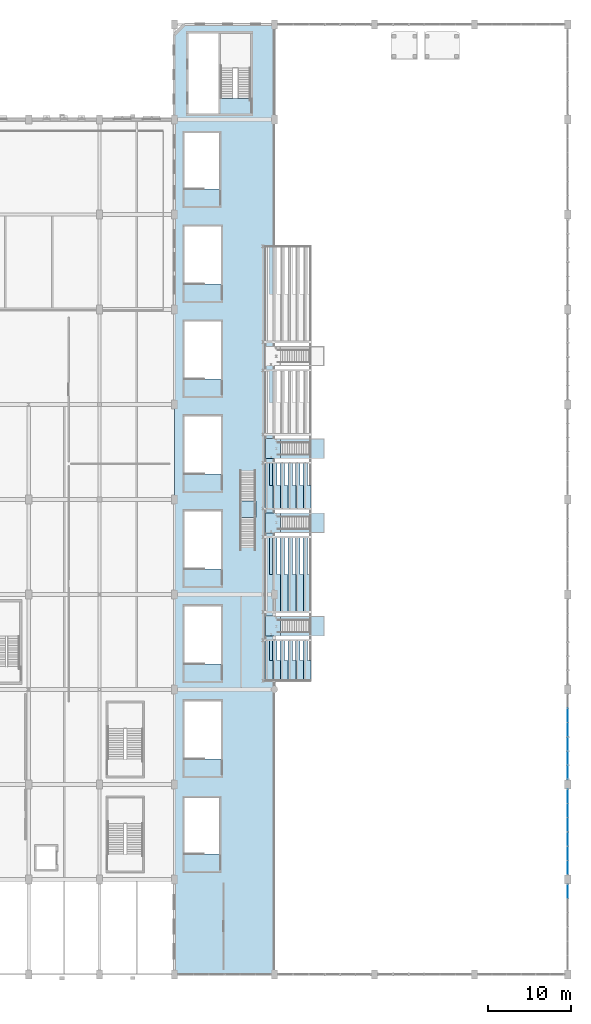
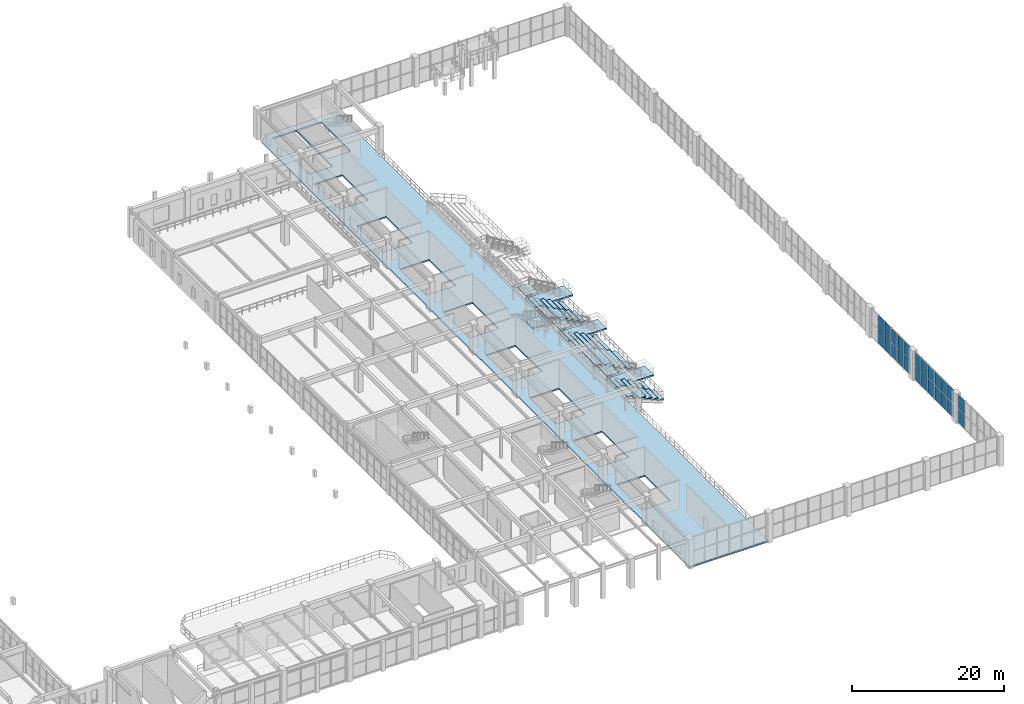
# One storey, part 74 of 106: 26 slabs, 24 plates, 6 elements without a shape of their own.
"""IFC4 building model written with IfcOpenShell, lengths in metres."""

from ifc_helpers import new_model, si_unit, direction, frame, origin, origin_2d, place, context, subcontext, project, spatial, polyline, rectangle, outline, extrude, material, layer, layer_set, type_object, element, aggregate, save


model = new_model("IFC4")

# Units and contexts
model_context = context("Model", 3, precision=1e-05, world=origin(), true_north=direction((0.0, 1.0)))
body_context = subcontext(model_context, "Body", "Model", "MODEL_VIEW")
ifc_project = project(units=[si_unit("LENGTHUNIT", "METRE"), si_unit("AREAUNIT", "SQUARE_METRE"), si_unit("VOLUMEUNIT", "CUBIC_METRE"), si_unit("PLANEANGLEUNIT", "RADIAN"), si_unit("MASSUNIT", "GRAM", prefix="KILO"), si_unit("POWERUNIT", "WATT"), si_unit("THERMODYNAMICTEMPERATUREUNIT", "KELVIN")], contexts=[model_context])

# Site, building, storey
site_placement = place(None, origin())
site = spatial("IfcSite", under=ifc_project, at=site_placement, CompositionType="ELEMENT")
building_placement = place(site_placement, origin())
building = spatial("IfcBuilding", under=site, at=building_placement, Name="Kelmbourne Parkland Aquatics Centre", CompositionType="ELEMENT")
storey_placement = place(building_placement, frame((0.0, 0.0, 5.39990234375)))
storey = spatial("IfcBuildingStorey", under=building, at=storey_placement, Name="L01", CompositionType="ELEMENT", Elevation=5.39990234375)

# Curtain wall, plate
ifc_material_1 = material(Name="Thermally broken anodised aluminium framing", Category="aluminium")
ifc_layer_1 = layer(ifc_material_1, 0.179931640625)
ifc_layer_set_1 = layer_set([ifc_layer_1], Name="Thermally broken anodised aluminium framing")
curtain_wall_type_1 = type_object("IfcCurtainWallType", Name="CW-08", PredefinedType="NOTDEFINED", material=ifc_layer_set_1)
curtain_wall_1_placement = place(storey_placement, origin())
curtain_wall_1 = element("IfcCurtainWall", 1, at=curtain_wall_1_placement, inside=storey, type_object=curtain_wall_type_1, Name="Wave-hall clerestory curtain wall CW-L01-008", PredefinedType="NOTDEFINED")
ifc_material_2 = material(Name="Double-glazed low-e laminated safety glass", Category="glass")
ifc_layer_2 = layer(ifc_material_2, 0.0419921875)
ifc_layer_set_2 = layer_set([ifc_layer_2], Name="Double-glazed low-e laminated safety glass")
plate_type_1 = type_object("IfcPlateType", Name="PL-CLR-1", PredefinedType="USERDEFINED", material=ifc_layer_set_2)
plate_1_placement = place(storey_placement, frame((175.199951171875, 10.75830078125, 2.458984375), z_axis=(0.0, 0.0, 1.0), x_axis=(0.0, 1.0, 0.0)))
plate_1 = element("IfcPlate", 2, at=plate_1_placement, type_object=plate_type_1, Name="CW-L01-008 clerestory glazing 1-2", ObjectType="CLERESTORY GLAZING", PredefinedType="USERDEFINED", context=body_context, shape_type="SweptSolid", body=[
    extrude(rectangle(XDim=1.601318359375, YDim=0.0419921875, at=origin_2d()), origin(), (0.0, 0.0, 1.0), 2.114013671875),
])

# Curtain wall, plates
ifc_layer_3 = layer(ifc_material_1, 0.179931640625)
ifc_layer_set_3 = layer_set([ifc_layer_3], Name="Thermally broken anodised aluminium framing")
curtain_wall_type_2 = type_object("IfcCurtainWallType", Name="CW-17", PredefinedType="NOTDEFINED", material=ifc_layer_set_3)
curtain_wall_2_placement = place(storey_placement, origin())
curtain_wall_2 = element("IfcCurtainWall", 3, at=curtain_wall_2_placement, inside=storey, type_object=curtain_wall_type_2, Name="Wave-hall clerestory curtain wall CW-L01-017", PredefinedType="NOTDEFINED")
plate_2_placement = place(storey_placement, frame((175.199951171875, 13.638427734375, 2.458984375), z_axis=(0.0, 0.0, 1.0), x_axis=(0.0, 1.0, 0.0)))
plate_2 = element("IfcPlate", 4, at=plate_2_placement, type_object=plate_type_1, Name="CW-L01-017 clerestory glazing 1-0", ObjectType="CLERESTORY GLAZING", PredefinedType="USERDEFINED", context=body_context, shape_type="SweptSolid", body=[
    extrude(rectangle(XDim=1.61474609375, YDim=0.0419921875, at=origin_2d()), origin(), (0.0, 0.0, 1.0), 2.114013671875),
])
plate_3_placement = place(storey_placement, frame((175.199951171875, 15.325927734375, 2.458984375), z_axis=(0.0, 0.0, 1.0), x_axis=(0.0, 1.0, 0.0)))
plate_3 = element("IfcPlate", 5, at=plate_3_placement, type_object=plate_type_1, Name="CW-L01-017 clerestory glazing 1-1", ObjectType="CLERESTORY GLAZING", PredefinedType="USERDEFINED", context=body_context, shape_type="SweptSolid", body=[
    extrude(rectangle(XDim=1.614501953125, YDim=0.0419921875, at=origin_2d()), origin(), (0.0, 0.0, 1.0), 2.114013671875),
])
plate_4_placement = place(storey_placement, frame((175.199951171875, 17.013671875, 2.458984375), z_axis=(0.0, 0.0, 1.0), x_axis=(0.0, 1.0, 0.0)))
plate_4 = element("IfcPlate", 6, at=plate_4_placement, type_object=plate_type_1, Name="CW-L01-017 clerestory glazing 1-2", ObjectType="CLERESTORY GLAZING", PredefinedType="USERDEFINED", context=body_context, shape_type="SweptSolid", body=[
    extrude(rectangle(XDim=1.61474609375, YDim=0.0419921875, at=origin_2d()), origin(), (0.0, 0.0, 1.0), 2.114013671875),
])

ifc_layer_4 = layer(ifc_material_1, 0.179931640625)
ifc_layer_set_4 = layer_set([ifc_layer_4], Name="Thermally broken anodised aluminium framing")
curtain_wall_type_3 = type_object("IfcCurtainWallType", Name="CW-23", PredefinedType="NOTDEFINED", material=ifc_layer_set_4)
curtain_wall_3_placement = place(storey_placement, origin())
curtain_wall_3 = element("IfcCurtainWall", 7, at=curtain_wall_3_placement, inside=storey, type_object=curtain_wall_type_3, Name="Wave-hall clerestory curtain wall CW-L01-023", PredefinedType="NOTDEFINED")
plate_5_placement = place(storey_placement, frame((175.199951171875, 18.78955078125, 2.458984375), z_axis=(0.0, 0.0, 1.0), x_axis=(0.0, 1.0, 0.0)))
plate_5 = element("IfcPlate", 8, at=plate_5_placement, type_object=plate_type_1, Name="CW-L01-023 clerestory glazing 1-0", ObjectType="CLERESTORY GLAZING", PredefinedType="USERDEFINED", context=body_context, shape_type="SweptSolid", body=[
    extrude(rectangle(XDim=1.601318359375, YDim=0.0419921875, at=origin_2d()), origin(), (0.0, 0.0, 1.0), 2.114013671875),
])
plate_6_placement = place(storey_placement, frame((175.199951171875, 20.47412109375, 2.458984375), z_axis=(0.0, 0.0, 1.0), x_axis=(0.0, 1.0, 0.0)))
plate_6 = element("IfcPlate", 9, at=plate_6_placement, type_object=plate_type_1, Name="CW-L01-023 clerestory glazing 1-1", ObjectType="CLERESTORY GLAZING", PredefinedType="USERDEFINED", context=body_context, shape_type="SweptSolid", body=[
    extrude(rectangle(XDim=1.601318359375, YDim=0.0419921875, at=origin_2d()), origin(), (0.0, 0.0, 1.0), 2.114013671875),
])
plate_7_placement = place(storey_placement, frame((175.199951171875, 22.158203125, 2.458984375), z_axis=(0.0, 0.0, 1.0), x_axis=(0.0, 1.0, 0.0)))
plate_7 = element("IfcPlate", 10, at=plate_7_placement, type_object=plate_type_1, Name="CW-L01-023 clerestory glazing 1-2", ObjectType="CLERESTORY GLAZING", PredefinedType="USERDEFINED", context=body_context, shape_type="SweptSolid", body=[
    extrude(rectangle(XDim=1.601318359375, YDim=0.0419921875, at=origin_2d()), origin(), (0.0, 0.0, 1.0), 2.114013671875),
])

ifc_layer_5 = layer(ifc_material_1, 0.179931640625)
ifc_layer_set_5 = layer_set([ifc_layer_5], Name="Thermally broken anodised aluminium framing")
curtain_wall_type_4 = type_object("IfcCurtainWallType", Name="CW-05", PredefinedType="NOTDEFINED", material=ifc_layer_set_5)
curtain_wall_4_placement = place(storey_placement, origin())
curtain_wall_4 = element("IfcCurtainWall", 11, at=curtain_wall_4_placement, inside=storey, type_object=curtain_wall_type_4, Name="Wave-hall clerestory curtain wall CW-L01-029", PredefinedType="NOTDEFINED")
plate_8_placement = place(storey_placement, frame((175.199951171875, 25.044921875, 2.458984375), z_axis=(0.0, 0.0, 1.0), x_axis=(0.0, 1.0, 0.0)))
plate_8 = element("IfcPlate", 12, at=plate_8_placement, type_object=plate_type_1, Name="CW-L01-029 clerestory glazing 1-0", ObjectType="CLERESTORY GLAZING", PredefinedType="USERDEFINED", context=body_context, shape_type="SweptSolid", body=[
    extrude(rectangle(XDim=1.587890625, YDim=0.0419921875, at=origin_2d()), origin(), (0.0, 0.0, 1.0), 2.114013671875),
])
plate_9_placement = place(storey_placement, frame((175.199951171875, 26.72607421875, 2.458984375), z_axis=(0.0, 0.0, 1.0), x_axis=(0.0, 1.0, 0.0)))
plate_9 = element("IfcPlate", 13, at=plate_9_placement, type_object=plate_type_1, Name="CW-L01-029 clerestory glazing 1-1", ObjectType="CLERESTORY GLAZING", PredefinedType="USERDEFINED", context=body_context, shape_type="SweptSolid", body=[
    extrude(rectangle(XDim=1.587890625, YDim=0.0419921875, at=origin_2d()), origin(), (0.0, 0.0, 1.0), 2.114013671875),
])
plate_10_placement = place(storey_placement, frame((175.199951171875, 28.406982421875, 2.458984375), z_axis=(0.0, 0.0, 1.0), x_axis=(0.0, 1.0, 0.0)))
plate_10 = element("IfcPlate", 14, at=plate_10_placement, type_object=plate_type_1, Name="CW-L01-029 clerestory glazing 1-2", ObjectType="CLERESTORY GLAZING", PredefinedType="USERDEFINED", context=body_context, shape_type="SweptSolid", body=[
    extrude(rectangle(XDim=1.587890625, YDim=0.0419921875, at=origin_2d()), origin(), (0.0, 0.0, 1.0), 2.114013671875),
])

ifc_layer_6 = layer(ifc_material_1, 0.179931640625)
ifc_layer_set_6 = layer_set([ifc_layer_6], Name="Thermally broken anodised aluminium framing")
curtain_wall_type_5 = type_object("IfcCurtainWallType", Name="CW-09", PredefinedType="NOTDEFINED", material=ifc_layer_set_6)
curtain_wall_5_placement = place(storey_placement, origin())
curtain_wall_5 = element("IfcCurtainWall", 15, at=curtain_wall_5_placement, inside=storey, type_object=curtain_wall_type_5, Name="Wave-hall clerestory curtain wall CW-L01-033", PredefinedType="NOTDEFINED")
plate_11_placement = place(storey_placement, frame((175.199951171875, 30.189697265625, 2.428955078125), z_axis=(0.0, 0.0, 1.0), x_axis=(0.0, 1.0, 0.0)))
plate_11 = element("IfcPlate", 16, at=plate_11_placement, type_object=plate_type_1, Name="CW-L01-033 clerestory glazing 1-0", ObjectType="CLERESTORY GLAZING", PredefinedType="USERDEFINED", context=body_context, shape_type="SweptSolid", body=[
    extrude(rectangle(XDim=1.601318359375, YDim=0.0419921875, at=origin_2d()), origin(), (0.0, 0.0, 1.0), 2.2041015625),
])
plate_12_placement = place(storey_placement, frame((175.199951171875, 31.8740234375, 2.428955078125), z_axis=(0.0, 0.0, 1.0), x_axis=(0.0, 1.0, 0.0)))
plate_12 = element("IfcPlate", 17, at=plate_12_placement, type_object=plate_type_1, Name="CW-L01-033 clerestory glazing 1-1", ObjectType="CLERESTORY GLAZING", PredefinedType="USERDEFINED", context=body_context, shape_type="SweptSolid", body=[
    extrude(rectangle(XDim=1.601318359375, YDim=0.0419921875, at=origin_2d()), origin(), (0.0, 0.0, 1.0), 2.2041015625),
])
ifc_layer_7 = layer(ifc_material_2, 0.02392578125)
ifc_layer_set_7 = layer_set([ifc_layer_7], Name="Double-glazed low-e laminated safety glass")
plate_type_2 = type_object("IfcPlateType", Name="PL-CWP-1", PredefinedType="CURTAIN_PANEL", material=ifc_layer_set_7)
plate_13_placement = place(storey_placement, frame((175.199951171875, 30.189697265625, 0.116943359375), z_axis=(0.0, 0.0, 1.0), x_axis=(0.0, 1.0, 0.0)))
plate_13 = element("IfcPlate", 18, at=plate_13_placement, type_object=plate_type_2, Name="CW-L01-033 vision glazing 0-0", PredefinedType="CURTAIN_PANEL", context=body_context, shape_type="SweptSolid", body=[
    extrude(rectangle(XDim=1.601318359375, YDim=0.02392578125, at=origin_2d()), origin(), (0.0, 0.0, 1.0), 2.2041015625),
])
plate_14_placement = place(storey_placement, frame((175.199951171875, 31.8740234375, 0.116943359375), z_axis=(0.0, 0.0, 1.0), x_axis=(0.0, 1.0, 0.0)))
plate_14 = element("IfcPlate", 19, at=plate_14_placement, type_object=plate_type_2, Name="CW-L01-033 vision glazing 0-1", PredefinedType="CURTAIN_PANEL", context=body_context, shape_type="SweptSolid", body=[
    extrude(rectangle(XDim=1.601318359375, YDim=0.02392578125, at=origin_2d()), origin(), (0.0, 0.0, 1.0), 2.2041015625),
])
aggregate(curtain_wall_5, [plate_13, plate_14, plate_11, plate_12])

# Plate
ifc_layer_8 = layer(ifc_material_2, 0.048095703125)
ifc_layer_set_8 = layer_set([ifc_layer_8], Name="Double-glazed low-e laminated safety glass")
plate_type_3 = type_object("IfcPlateType", Name="PL-CWP-3", PredefinedType="CURTAIN_PANEL", material=ifc_layer_set_8)
plate_15_placement = place(storey_placement, frame((175.199951171875, 10.75830078125, 0.17724609375), z_axis=(0.0, 0.0, 1.0), x_axis=(0.0, 1.0, 0.0)))
plate_15 = element("IfcPlate", 20, at=plate_15_placement, type_object=plate_type_3, Name="CW-L01-008 vision glazing 0-2", PredefinedType="CURTAIN_PANEL", context=body_context, shape_type="SweptSolid", body=[
    extrude(rectangle(XDim=1.601318359375, YDim=0.048095703125, at=origin_2d()), origin(), (0.0, 0.0, 1.0), 2.114013671875),
])

aggregate(curtain_wall_1, [plate_15, plate_1])

plate_16_placement = place(storey_placement, frame((175.199951171875, 13.638427734375, 0.17724609375), z_axis=(0.0, 0.0, 1.0), x_axis=(0.0, 1.0, 0.0)))
plate_16 = element("IfcPlate", 21, at=plate_16_placement, type_object=plate_type_3, Name="CW-L01-017 vision glazing 0-0", PredefinedType="CURTAIN_PANEL", context=body_context, shape_type="SweptSolid", body=[
    extrude(rectangle(XDim=1.61474609375, YDim=0.048095703125, at=origin_2d()), origin(), (0.0, 0.0, 1.0), 2.114013671875),
])

plate_17_placement = place(storey_placement, frame((175.199951171875, 15.325927734375, 0.17724609375), z_axis=(0.0, 0.0, 1.0), x_axis=(0.0, 1.0, 0.0)))
plate_17 = element("IfcPlate", 22, at=plate_17_placement, type_object=plate_type_3, Name="CW-L01-017 vision glazing 0-1", PredefinedType="CURTAIN_PANEL", context=body_context, shape_type="SweptSolid", body=[
    extrude(rectangle(XDim=1.614501953125, YDim=0.048095703125, at=origin_2d()), origin(), (0.0, 0.0, 1.0), 2.114013671875),
])

plate_18_placement = place(storey_placement, frame((175.199951171875, 17.013671875, 0.17724609375), z_axis=(0.0, 0.0, 1.0), x_axis=(0.0, 1.0, 0.0)))
plate_18 = element("IfcPlate", 23, at=plate_18_placement, type_object=plate_type_3, Name="CW-L01-017 vision glazing 0-2", PredefinedType="CURTAIN_PANEL", context=body_context, shape_type="SweptSolid", body=[
    extrude(rectangle(XDim=1.61474609375, YDim=0.048095703125, at=origin_2d()), origin(), (0.0, 0.0, 1.0), 2.114013671875),
])

aggregate(curtain_wall_2, [plate_16, plate_17, plate_18, plate_2, plate_3, plate_4])

plate_19_placement = place(storey_placement, frame((175.199951171875, 18.78955078125, 0.17724609375), z_axis=(0.0, 0.0, 1.0), x_axis=(0.0, 1.0, 0.0)))
plate_19 = element("IfcPlate", 24, at=plate_19_placement, type_object=plate_type_3, Name="CW-L01-023 vision glazing 0-0", PredefinedType="CURTAIN_PANEL", context=body_context, shape_type="SweptSolid", body=[
    extrude(rectangle(XDim=1.601318359375, YDim=0.048095703125, at=origin_2d()), origin(), (0.0, 0.0, 1.0), 2.114013671875),
])

plate_20_placement = place(storey_placement, frame((175.199951171875, 20.47412109375, 0.17724609375), z_axis=(0.0, 0.0, 1.0), x_axis=(0.0, 1.0, 0.0)))
plate_20 = element("IfcPlate", 25, at=plate_20_placement, type_object=plate_type_3, Name="CW-L01-023 vision glazing 0-1", PredefinedType="CURTAIN_PANEL", context=body_context, shape_type="SweptSolid", body=[
    extrude(rectangle(XDim=1.601318359375, YDim=0.048095703125, at=origin_2d()), origin(), (0.0, 0.0, 1.0), 2.114013671875),
])

plate_21_placement = place(storey_placement, frame((175.199951171875, 22.158203125, 0.17724609375), z_axis=(0.0, 0.0, 1.0), x_axis=(0.0, 1.0, 0.0)))
plate_21 = element("IfcPlate", 26, at=plate_21_placement, type_object=plate_type_3, Name="CW-L01-023 vision glazing 0-2", PredefinedType="CURTAIN_PANEL", context=body_context, shape_type="SweptSolid", body=[
    extrude(rectangle(XDim=1.601318359375, YDim=0.048095703125, at=origin_2d()), origin(), (0.0, 0.0, 1.0), 2.114013671875),
])

aggregate(curtain_wall_3, [plate_19, plate_20, plate_21, plate_5, plate_6, plate_7])

plate_22_placement = place(storey_placement, frame((175.199951171875, 25.044921875, 0.17724609375), z_axis=(0.0, 0.0, 1.0), x_axis=(0.0, 1.0, 0.0)))
plate_22 = element("IfcPlate", 27, at=plate_22_placement, type_object=plate_type_3, Name="CW-L01-029 vision glazing 0-0", PredefinedType="CURTAIN_PANEL", context=body_context, shape_type="SweptSolid", body=[
    extrude(rectangle(XDim=1.587890625, YDim=0.048095703125, at=origin_2d()), origin(), (0.0, 0.0, 1.0), 2.114013671875),
])

plate_23_placement = place(storey_placement, frame((175.199951171875, 26.72607421875, 0.17724609375), z_axis=(0.0, 0.0, 1.0), x_axis=(0.0, 1.0, 0.0)))
plate_23 = element("IfcPlate", 28, at=plate_23_placement, type_object=plate_type_3, Name="CW-L01-029 vision glazing 0-1", PredefinedType="CURTAIN_PANEL", context=body_context, shape_type="SweptSolid", body=[
    extrude(rectangle(XDim=1.587890625, YDim=0.048095703125, at=origin_2d()), origin(), (0.0, 0.0, 1.0), 2.114013671875),
])

plate_24_placement = place(storey_placement, frame((175.199951171875, 28.406982421875, 0.17724609375), z_axis=(0.0, 0.0, 1.0), x_axis=(0.0, 1.0, 0.0)))
plate_24 = element("IfcPlate", 29, at=plate_24_placement, type_object=plate_type_3, Name="CW-L01-029 vision glazing 0-2", PredefinedType="CURTAIN_PANEL", context=body_context, shape_type="SweptSolid", body=[
    extrude(rectangle(XDim=1.587890625, YDim=0.048095703125, at=origin_2d()), origin(), (0.0, 0.0, 1.0), 2.114013671875),
])

aggregate(curtain_wall_4, [plate_22, plate_23, plate_24, plate_8, plate_9, plate_10])

# Slabs
ifc_material_3 = material(Name="Concrete C40/50", Category="concrete")
ifc_layer_9 = layer(ifc_material_3, 0.239990234375)
ifc_layer_set_9 = layer_set([ifc_layer_9], Name="Concrete C40/50")
slab_type_1 = type_object("IfcSlabType", Name="SL-F2", PredefinedType="FLOOR", material=ifc_layer_set_9)
slab_1_placement = place(storey_placement, frame((0.0, 0.0, -0.239990234375)))
element("IfcSlab", 30, at=slab_1_placement, inside=storey, type_object=slab_type_1, Name="Suspended floor slab SLAB-L01-V1", PredefinedType="FLOOR", context=body_context, shape_type="SweptSolid", body=[
    extrude(outline(polyline([(128.0, 0.800048828125), (140.0, 0.800048828125), (140.0, 114.800048828125), (129.199951171875, 114.800048828125), (128.0, 113.60009765625), (128.0, 0.800048828125)]), holes=[polyline([(133.39990234375, 22.0), (133.39990234375, 15.25), (129.199951171875, 15.25), (129.199951171875, 22.0), (133.39990234375, 22.0)]), polyline([(133.60009765625, 33.60009765625), (133.60009765625, 26.64990234375), (129.199951171875, 26.64990234375), (129.199951171875, 33.60009765625), (133.60009765625, 33.60009765625)]), polyline([(133.60009765625, 45.0), (133.60009765625, 38.050048828125), (129.199951171875, 38.050048828125), (129.199951171875, 45.0), (133.60009765625, 45.0)]), polyline([(133.60009765625, 49.449951171875), (129.199951171875, 49.449951171875), (129.199951171875, 56.39990234375), (133.60009765625, 56.39990234375), (133.60009765625, 49.449951171875)]), polyline([(133.60009765625, 60.85009765625), (129.199951171875, 60.85009765625), (129.199951171875, 67.800048828125), (133.60009765625, 67.800048828125), (133.60009765625, 60.85009765625)]), polyline([(133.60009765625, 79.199951171875), (133.60009765625, 72.25), (129.199951171875, 72.25), (129.199951171875, 79.199951171875), (133.60009765625, 79.199951171875)]), polyline([(133.60009765625, 90.60009765625), (133.60009765625, 83.64990234375), (129.199951171875, 83.64990234375), (129.199951171875, 90.60009765625), (133.60009765625, 90.60009765625)]), polyline([(133.39990234375, 101.800048828125), (133.39990234375, 95.050048828125), (129.199951171875, 95.050048828125), (129.199951171875, 101.800048828125), (133.39990234375, 101.800048828125)]), polyline([(133.27490234375, 104.10009765625), (129.699951171875, 104.10009765625), (129.699951171875, 113.699951171875), (133.27490234375, 113.699951171875), (133.27490234375, 104.10009765625)]), polyline([(137.10009765625, 105.949951171875), (133.52490234375, 105.949951171875), (133.52490234375, 113.699951171875), (137.10009765625, 113.699951171875), (137.10009765625, 105.949951171875)])]), origin(), (0.0, 0.0, 1.0), 0.239990234375),
])
slab_2_placement = place(storey_placement, frame((0.0, 0.0, -0.239990234375)))
element("IfcSlab", 31, at=slab_2_placement, inside=storey, type_object=slab_type_1, Name="VM01 lower concourse landing", PredefinedType="FLOOR", context=body_context, shape_type="SweptSolid", body=[
    extrude(outline(polyline([(140.0, 41.39990234375), (145.989990234375, 41.39990234375), (145.989990234375, 43.800048828125), (140.0, 43.800048828125), (140.0, 41.39990234375)])), origin(), (0.0, 0.0, 1.0), 0.239990234375),
])
slab_3_placement = place(storey_placement, frame((0.0, 0.0, -0.239990234375)))
element("IfcSlab", 32, at=slab_3_placement, inside=storey, type_object=slab_type_1, Name="VM02 lower concourse landing", PredefinedType="FLOOR", context=body_context, shape_type="SweptSolid", body=[
    extrude(outline(polyline([(140.0, 53.800048828125), (145.989990234375, 53.800048828125), (145.989990234375, 56.199951171875), (140.0, 56.199951171875), (140.0, 53.800048828125)])), origin(), (0.0, 0.0, 1.0), 0.239990234375),
])
slab_4_placement = place(storey_placement, frame((0.0, 0.0, -0.239990234375)))
element("IfcSlab", 33, at=slab_4_placement, inside=storey, type_object=slab_type_1, Name="VM03 lower concourse landing", PredefinedType="FLOOR", context=body_context, shape_type="SweptSolid", body=[
    extrude(outline(polyline([(140.0, 62.699951171875), (145.989990234375, 62.699951171875), (145.989990234375, 65.10009765625), (140.0, 65.10009765625), (140.0, 62.699951171875)])), origin(), (0.0, 0.0, 1.0), 0.239990234375),
])

# Stair, slab
stair_type = type_object("IfcStairType", Name="ST-FS02", PredefinedType="TWO_STRAIGHT_RUN_STAIR", material=ifc_material_3)
stair_placement = place(storey_placement, origin())
stair = element("IfcStair", 34, at=stair_placement, inside=storey, type_object=stair_type, Name="Broadcast Gallery Concourse Feature Stair", PredefinedType="TWO_STRAIGHT_RUN_STAIR")
ifc_layer_10 = layer(ifc_material_3, 0.199951171875)
ifc_layer_set_10 = layer_set([ifc_layer_10], Name="Concrete C40/50")
slab_type_2 = type_object("IfcSlabType", Name="SL-LND-20", PredefinedType="LANDING", material=ifc_layer_set_10)
slab_5_placement = place(storey_placement, frame((0.0, 0.0, 2.2001953125)))
slab_5 = element("IfcSlab", 35, at=slab_5_placement, type_object=slab_type_2, Name="FS02 mid-landing", PredefinedType="LANDING", context=body_context, shape_type="SweptSolid", body=[
    extrude(outline(polyline([(135.800048828125, 55.639892578125), (137.800048828125, 55.639892578125), (137.800048828125, 57.639892578125), (135.800048828125, 57.639892578125), (135.800048828125, 55.639892578125)])), origin(), (0.0, 0.0, 1.0), 0.199951171875),
])
aggregate(stair, [slab_5])

# Slabs
ifc_layer_11 = layer(ifc_material_3, 0.179931640625)
ifc_layer_set_11 = layer_set([ifc_layer_11], Name="Concrete C40/50")
slab_type_3 = type_object("IfcSlabType", Name="SL-ST", PredefinedType="USERDEFINED", material=ifc_layer_set_11)
slab_6_placement = place(storey_placement, frame((0.0, 0.0, -0.179931640625)))
element("IfcSlab", 36, at=slab_6_placement, inside=storey, type_object=slab_type_3, Name="Stand Lower Bay 1 Row 1", ObjectType="SEATING TIER", PredefinedType="USERDEFINED", context=body_context, shape_type="SweptSolid", body=[
    extrude(outline(polyline([(143.43994140625, 36.0), (144.39990234375, 36.0), (144.39990234375, 38.449951171875), (143.97998046875, 38.449951171875), (143.97998046875, 40.89990234375), (143.43994140625, 40.89990234375), (143.43994140625, 36.0)])), origin(), (0.0, 0.0, 1.0), 0.179931640625),
])
slab_7_placement = place(storey_placement, frame((0.0, 0.0, 0.27001953125)))
element("IfcSlab", 37, at=slab_7_placement, inside=storey, type_object=slab_type_3, Name="Stand Lower Bay 1 Row 2", ObjectType="SEATING TIER", PredefinedType="USERDEFINED", context=body_context, shape_type="SweptSolid", body=[
    extrude(outline(polyline([(142.52001953125, 36.0), (143.47998046875, 36.0), (143.47998046875, 38.449951171875), (143.06005859375, 38.449951171875), (143.06005859375, 40.89990234375), (142.52001953125, 40.89990234375), (142.52001953125, 36.0)])), origin(), (0.0, 0.0, 1.0), 0.18017578125),
])
slab_8_placement = place(storey_placement, frame((0.0, 0.0, 0.72021484375)))
element("IfcSlab", 38, at=slab_8_placement, inside=storey, type_object=slab_type_3, Name="Stand Lower Bay 1 Row 3", ObjectType="SEATING TIER", PredefinedType="USERDEFINED", context=body_context, shape_type="SweptSolid", body=[
    extrude(outline(polyline([(141.60009765625, 36.0), (142.56005859375, 36.0), (142.56005859375, 38.449951171875), (142.139892578125, 38.449951171875), (142.139892578125, 40.89990234375), (141.60009765625, 40.89990234375), (141.60009765625, 36.0)])), origin(), (0.0, 0.0, 1.0), 0.179931640625),
])
slab_9_placement = place(storey_placement, frame((0.0, 0.0, 1.170166015625)))
element("IfcSlab", 39, at=slab_9_placement, inside=storey, type_object=slab_type_3, Name="Stand Lower Bay 1 Row 4", ObjectType="SEATING TIER", PredefinedType="USERDEFINED", context=body_context, shape_type="SweptSolid", body=[
    extrude(outline(polyline([(140.679931640625, 36.0), (141.639892578125, 36.0), (141.639892578125, 38.449951171875), (141.219970703125, 38.449951171875), (141.219970703125, 40.89990234375), (140.679931640625, 40.89990234375), (140.679931640625, 36.0)])), origin(), (0.0, 0.0, 1.0), 0.179931640625),
])
slab_10_placement = place(storey_placement, frame((0.0, 0.0, 1.6201171875)))
element("IfcSlab", 40, at=slab_10_placement, inside=storey, type_object=slab_type_3, Name="Stand Lower Bay 1 Row 5", ObjectType="SEATING TIER", PredefinedType="USERDEFINED", context=body_context, shape_type="SweptSolid", body=[
    extrude(outline(polyline([(139.760009765625, 36.0), (140.719970703125, 36.0), (140.719970703125, 38.449951171875), (140.300048828125, 38.449951171875), (140.300048828125, 40.89990234375), (139.760009765625, 40.89990234375), (139.760009765625, 36.0)])), origin(), (0.0, 0.0, 1.0), 0.179931640625),
])
slab_11_placement = place(storey_placement, frame((0.0, 0.0, 2.070068359375)))
element("IfcSlab", 41, at=slab_11_placement, inside=storey, type_object=slab_type_3, Name="Stand Lower Bay 1 Row 6", ObjectType="SEATING TIER", PredefinedType="USERDEFINED", context=body_context, shape_type="SweptSolid", body=[
    extrude(outline(polyline([(138.840087890625, 36.0), (139.800048828125, 36.0), (139.800048828125, 38.449951171875), (139.3798828125, 38.449951171875), (139.3798828125, 40.89990234375), (138.840087890625, 40.89990234375), (138.840087890625, 36.0)])), origin(), (0.0, 0.0, 1.0), 0.179931640625),
])
slab_12_placement = place(storey_placement, frame((0.0, 0.0, -0.179931640625)))
element("IfcSlab", 42, at=slab_12_placement, inside=storey, type_object=slab_type_3, Name="Stand Lower Bay 2 Row 1", ObjectType="SEATING TIER", PredefinedType="USERDEFINED", context=body_context, shape_type="SweptSolid", body=[
    extrude(outline(polyline([(143.43994140625, 44.300048828125), (144.39990234375, 44.300048828125), (144.39990234375, 48.800048828125), (143.97998046875, 48.800048828125), (143.97998046875, 53.300048828125), (143.43994140625, 53.300048828125), (143.43994140625, 44.300048828125)])), origin(), (0.0, 0.0, 1.0), 0.179931640625),
])
slab_13_placement = place(storey_placement, frame((0.0, 0.0, 0.27001953125)))
element("IfcSlab", 43, at=slab_13_placement, inside=storey, type_object=slab_type_3, Name="Stand Lower Bay 2 Row 2", ObjectType="SEATING TIER", PredefinedType="USERDEFINED", context=body_context, shape_type="SweptSolid", body=[
    extrude(outline(polyline([(142.52001953125, 44.300048828125), (143.47998046875, 44.300048828125), (143.47998046875, 48.800048828125), (143.06005859375, 48.800048828125), (143.06005859375, 53.300048828125), (142.52001953125, 53.300048828125), (142.52001953125, 44.300048828125)])), origin(), (0.0, 0.0, 1.0), 0.18017578125),
])
slab_14_placement = place(storey_placement, frame((0.0, 0.0, 0.72021484375)))
element("IfcSlab", 44, at=slab_14_placement, inside=storey, type_object=slab_type_3, Name="Stand Lower Bay 2 Row 3", ObjectType="SEATING TIER", PredefinedType="USERDEFINED", context=body_context, shape_type="SweptSolid", body=[
    extrude(outline(polyline([(141.60009765625, 44.300048828125), (142.56005859375, 44.300048828125), (142.56005859375, 48.800048828125), (142.139892578125, 48.800048828125), (142.139892578125, 53.300048828125), (141.60009765625, 53.300048828125), (141.60009765625, 44.300048828125)])), origin(), (0.0, 0.0, 1.0), 0.179931640625),
])
slab_15_placement = place(storey_placement, frame((0.0, 0.0, 1.170166015625)))
element("IfcSlab", 45, at=slab_15_placement, inside=storey, type_object=slab_type_3, Name="Stand Lower Bay 2 Row 4", ObjectType="SEATING TIER", PredefinedType="USERDEFINED", context=body_context, shape_type="SweptSolid", body=[
    extrude(outline(polyline([(140.679931640625, 44.300048828125), (141.639892578125, 44.300048828125), (141.639892578125, 48.800048828125), (141.219970703125, 48.800048828125), (141.219970703125, 53.300048828125), (140.679931640625, 53.300048828125), (140.679931640625, 44.300048828125)])), origin(), (0.0, 0.0, 1.0), 0.179931640625),
])
slab_16_placement = place(storey_placement, frame((0.0, 0.0, 1.6201171875)))
element("IfcSlab", 46, at=slab_16_placement, inside=storey, type_object=slab_type_3, Name="Stand Lower Bay 2 Row 5", ObjectType="SEATING TIER", PredefinedType="USERDEFINED", context=body_context, shape_type="SweptSolid", body=[
    extrude(outline(polyline([(139.760009765625, 44.300048828125), (140.719970703125, 44.300048828125), (140.719970703125, 48.800048828125), (140.300048828125, 48.800048828125), (140.300048828125, 53.300048828125), (139.760009765625, 53.300048828125), (139.760009765625, 44.300048828125)])), origin(), (0.0, 0.0, 1.0), 0.179931640625),
])
slab_17_placement = place(storey_placement, frame((0.0, 0.0, 2.070068359375)))
element("IfcSlab", 47, at=slab_17_placement, inside=storey, type_object=slab_type_3, Name="Stand Lower Bay 2 Row 6", ObjectType="SEATING TIER", PredefinedType="USERDEFINED", context=body_context, shape_type="SweptSolid", body=[
    extrude(outline(polyline([(138.840087890625, 44.300048828125), (139.800048828125, 44.300048828125), (139.800048828125, 48.800048828125), (139.3798828125, 48.800048828125), (139.3798828125, 53.300048828125), (138.840087890625, 53.300048828125), (138.840087890625, 44.300048828125)])), origin(), (0.0, 0.0, 1.0), 0.179931640625),
])
slab_18_placement = place(storey_placement, frame((0.0, 0.0, -0.179931640625)))
element("IfcSlab", 48, at=slab_18_placement, inside=storey, type_object=slab_type_3, Name="Stand Lower Bay 3 Row 1", ObjectType="SEATING TIER", PredefinedType="USERDEFINED", context=body_context, shape_type="SweptSolid", body=[
    extrude(outline(polyline([(143.43994140625, 56.699951171875), (144.39990234375, 56.699951171875), (144.39990234375, 59.449951171875), (143.97998046875, 59.449951171875), (143.97998046875, 62.199951171875), (143.43994140625, 62.199951171875), (143.43994140625, 56.699951171875)])), origin(), (0.0, 0.0, 1.0), 0.179931640625),
])
slab_19_placement = place(storey_placement, frame((0.0, 0.0, 0.27001953125)))
element("IfcSlab", 49, at=slab_19_placement, inside=storey, type_object=slab_type_3, Name="Stand Lower Bay 3 Row 2", ObjectType="SEATING TIER", PredefinedType="USERDEFINED", context=body_context, shape_type="SweptSolid", body=[
    extrude(outline(polyline([(142.52001953125, 56.699951171875), (143.47998046875, 56.699951171875), (143.47998046875, 59.449951171875), (143.06005859375, 59.449951171875), (143.06005859375, 62.199951171875), (142.52001953125, 62.199951171875), (142.52001953125, 56.699951171875)])), origin(), (0.0, 0.0, 1.0), 0.18017578125),
])
slab_20_placement = place(storey_placement, frame((0.0, 0.0, 0.72021484375)))
element("IfcSlab", 50, at=slab_20_placement, inside=storey, type_object=slab_type_3, Name="Stand Lower Bay 3 Row 3", ObjectType="SEATING TIER", PredefinedType="USERDEFINED", context=body_context, shape_type="SweptSolid", body=[
    extrude(outline(polyline([(141.60009765625, 56.699951171875), (142.56005859375, 56.699951171875), (142.56005859375, 59.449951171875), (142.139892578125, 59.449951171875), (142.139892578125, 62.199951171875), (141.60009765625, 62.199951171875), (141.60009765625, 56.699951171875)])), origin(), (0.0, 0.0, 1.0), 0.179931640625),
])
slab_21_placement = place(storey_placement, frame((0.0, 0.0, 1.170166015625)))
element("IfcSlab", 51, at=slab_21_placement, inside=storey, type_object=slab_type_3, Name="Stand Lower Bay 3 Row 4", ObjectType="SEATING TIER", PredefinedType="USERDEFINED", context=body_context, shape_type="SweptSolid", body=[
    extrude(outline(polyline([(140.679931640625, 56.699951171875), (141.639892578125, 56.699951171875), (141.639892578125, 59.449951171875), (141.219970703125, 59.449951171875), (141.219970703125, 62.199951171875), (140.679931640625, 62.199951171875), (140.679931640625, 56.699951171875)])), origin(), (0.0, 0.0, 1.0), 0.179931640625),
])
slab_22_placement = place(storey_placement, frame((0.0, 0.0, 1.6201171875)))
element("IfcSlab", 52, at=slab_22_placement, inside=storey, type_object=slab_type_3, Name="Stand Lower Bay 3 Row 5", ObjectType="SEATING TIER", PredefinedType="USERDEFINED", context=body_context, shape_type="SweptSolid", body=[
    extrude(outline(polyline([(139.760009765625, 56.699951171875), (140.719970703125, 56.699951171875), (140.719970703125, 59.449951171875), (140.300048828125, 59.449951171875), (140.300048828125, 62.199951171875), (139.760009765625, 62.199951171875), (139.760009765625, 56.699951171875)])), origin(), (0.0, 0.0, 1.0), 0.179931640625),
])
slab_23_placement = place(storey_placement, frame((0.0, 0.0, 2.070068359375)))
element("IfcSlab", 53, at=slab_23_placement, inside=storey, type_object=slab_type_3, Name="Stand Lower Bay 3 Row 6", ObjectType="SEATING TIER", PredefinedType="USERDEFINED", context=body_context, shape_type="SweptSolid", body=[
    extrude(outline(polyline([(138.840087890625, 56.699951171875), (139.800048828125, 56.699951171875), (139.800048828125, 59.449951171875), (139.3798828125, 59.449951171875), (139.3798828125, 62.199951171875), (138.840087890625, 62.199951171875), (138.840087890625, 56.699951171875)])), origin(), (0.0, 0.0, 1.0), 0.179931640625),
])
slab_24_placement = place(storey_placement, frame((0.0, 0.0, 2.02001953125)))
element("IfcSlab", 54, at=slab_24_placement, inside=storey, type_object=slab_type_3, Name="VM01 upper seating tier landing", ObjectType="SEATING TIER", PredefinedType="USERDEFINED", context=body_context, shape_type="SweptSolid", body=[
    extrude(outline(polyline([(138.89990234375, 41.39990234375), (140.699951171875, 41.39990234375), (140.699951171875, 43.800048828125), (138.89990234375, 43.800048828125), (138.89990234375, 41.39990234375)])), origin(), (0.0, 0.0, 1.0), 0.22998046875),
])
slab_25_placement = place(storey_placement, frame((0.0, 0.0, 2.02001953125)))
element("IfcSlab", 55, at=slab_25_placement, inside=storey, type_object=slab_type_3, Name="VM02 upper seating tier landing", ObjectType="SEATING TIER", PredefinedType="USERDEFINED", context=body_context, shape_type="SweptSolid", body=[
    extrude(outline(polyline([(138.89990234375, 53.800048828125), (140.699951171875, 53.800048828125), (140.699951171875, 56.199951171875), (138.89990234375, 56.199951171875), (138.89990234375, 53.800048828125)])), origin(), (0.0, 0.0, 1.0), 0.22998046875),
])
slab_26_placement = place(storey_placement, frame((0.0, 0.0, 2.02001953125)))
element("IfcSlab", 56, at=slab_26_placement, inside=storey, type_object=slab_type_3, Name="VM03 upper seating tier landing", ObjectType="SEATING TIER", PredefinedType="USERDEFINED", context=body_context, shape_type="SweptSolid", body=[
    extrude(outline(polyline([(138.89990234375, 62.699951171875), (140.699951171875, 62.699951171875), (140.699951171875, 65.10009765625), (138.89990234375, 65.10009765625), (138.89990234375, 62.699951171875)])), origin(), (0.0, 0.0, 1.0), 0.22998046875),
])

save(model, "model.ifc")
